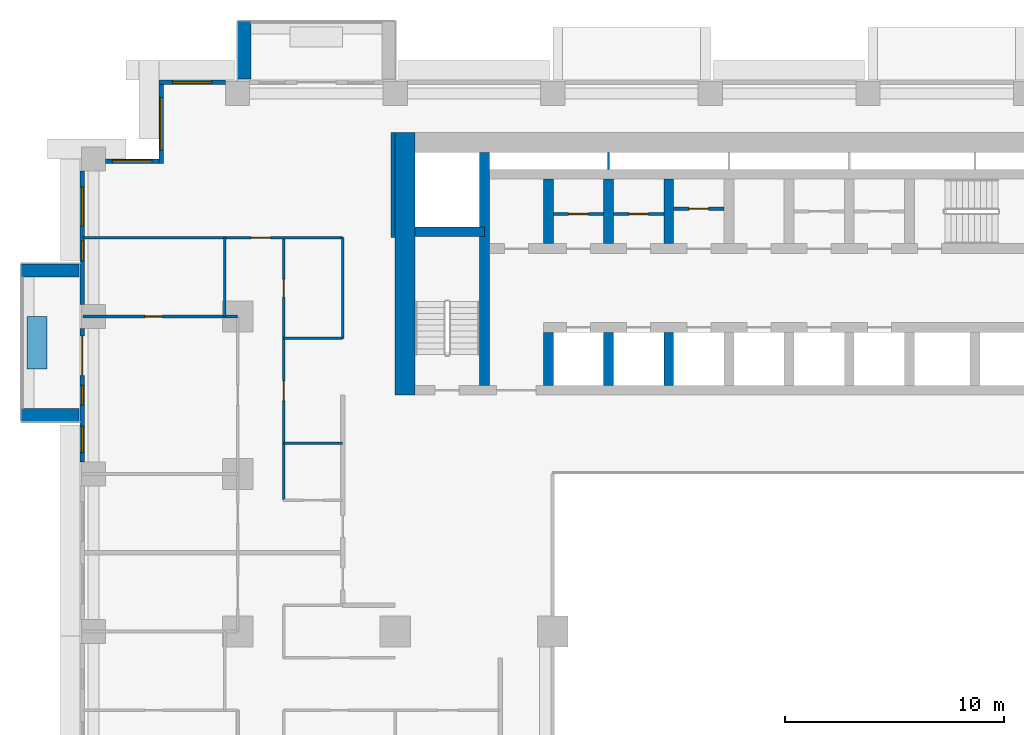
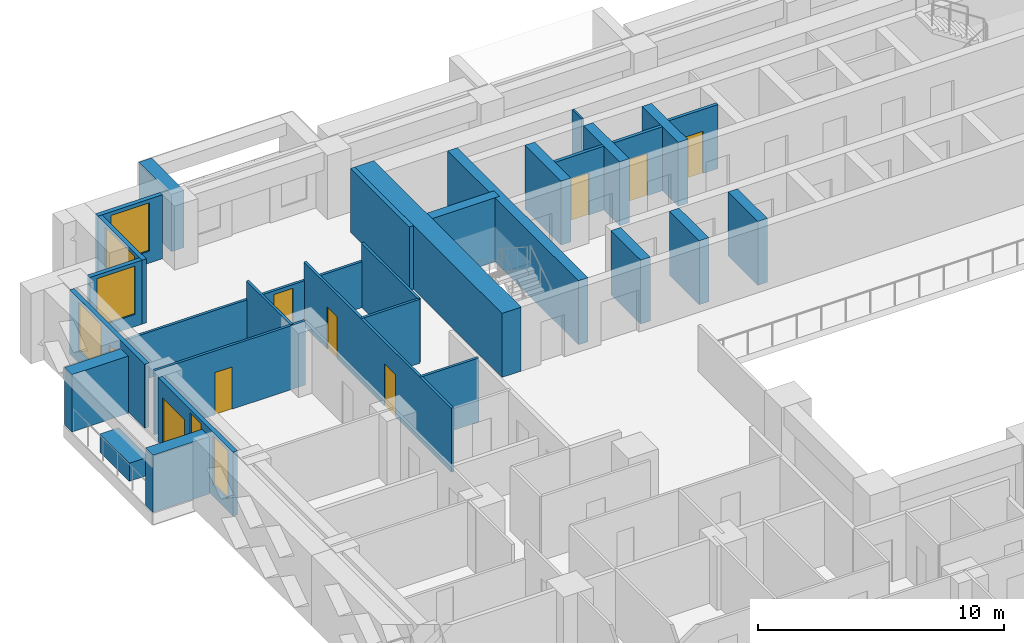
# One storey, part 9 of 17: 30 walls, 8 doors, 7 windows, 15 openings.
"""IFC4 building model written with IfcOpenShell, lengths in metres."""

from ifc_helpers import new_model, si_unit, direction, frame, frame_2d, origin, place, context, subcontext, project, spatial, rectangle, extrude, material, layer, layer_set, type_object, element, fill, save


model = new_model("IFC4")

# Units and contexts
model_context = context("Model", 3, precision=1e-05, world=origin(), true_north=direction((0.0, 1.0)))
body_context = subcontext(model_context, "Body", "Model", "MODEL_VIEW")
ifc_project = project(units=[si_unit("LENGTHUNIT", "METRE"), si_unit("AREAUNIT", "SQUARE_METRE"), si_unit("VOLUMEUNIT", "CUBIC_METRE"), si_unit("PLANEANGLEUNIT", "RADIAN"), si_unit("MASSUNIT", "GRAM", prefix="KILO")], contexts=[model_context])

# Site, building, storey
site_placement = place(None, origin())
site = spatial("IfcSite", under=ifc_project, at=site_placement, CompositionType="ELEMENT")
building_placement = place(site_placement, origin())
building = spatial("IfcBuilding", under=site, at=building_placement, Name="Saffron Iwan Residences", CompositionType="ELEMENT")
storey_placement = place(building_placement, frame((0.0, 0.0, 55.0)))
storey = spatial("IfcBuildingStorey", under=building, at=storey_placement, Name="L13", CompositionType="ELEMENT", Elevation=55.0)

# Walls
ifc_material_1 = material(Name="Concrete C50/60 white painted", Category="concrete")
ifc_layer_1 = layer(ifc_material_1, 0.60009765625)
ifc_layer_set_1 = layer_set([ifc_layer_1], Name="Concrete C50/60 white painted")
wall_type_1 = type_object("IfcWallType", Name="BALCONY FIN 600", PredefinedType="SOLIDWALL", material=ifc_layer_set_1)
for number, where, z_axis, x_axis, name in (
    (1, (21.89990234375, 80.449951171875, 0.0), (0.0, 0.0, 1.0), (0.0, 1.0, 0.0), "Balcony fin L13 F5-3b"),
    (2, (14.35009765625, 71.699951171875, 0.0), (0.0, 0.0, 1.0), (-1.0, 0.0, 0.0), "Balcony fin L13 F8-0a"),
    (3, (14.35009765625, 65.10009765625, 0.0), (0.0, 0.0, 1.0), (-1.0, 0.0, 0.0), "Balcony fin L13 F8-0b"),
):
    element("IfcWall", number, at=place(storey_placement, frame(where, z_axis=z_axis, x_axis=x_axis)), inside=storey, type_object=wall_type_1, Name=name, PredefinedType="SOLIDWALL", context=body_context, shape_type="SweptSolid", body=[
        extrude(rectangle(XDim=2.650146484375, YDim=0.60009765625, at=frame_2d((1.3251953125, 0.0))), origin(), (0.0, 0.0, 1.0), 2.85009765625),
    ])
ifc_material_2 = material(Name="Concrete C35/45 white painted", Category="concrete")
ifc_layer_2 = layer(ifc_material_2, 0.14990234375)
ifc_layer_set_2 = layer_set([ifc_layer_2], Name="Concrete C35/45 white painted")
wall_type_2 = type_object("IfcWallType", Name="BALCONY PLANTER", PredefinedType="SOLIDWALL", material=ifc_layer_set_2)
wall_1_placement = place(storey_placement, frame((12.425048828125, 69.60009765625, 0.0), z_axis=(0.0, 0.0, 1.0), x_axis=(0.0, -1.0, 0.0)))
element("IfcWall", 4, at=wall_1_placement, inside=storey, type_object=wall_type_2, Name="PLANTER L13 F8-0", PredefinedType="SOLIDWALL", context=body_context, shape_type="SweptSolid", body=[
    extrude(rectangle(XDim=2.400146484375, YDim=0.89990234375, at=frame_2d((1.2001953125, 0.0))), origin(), (0.0, 0.0, 1.0), 0.89990234375),
])

# Wall, opening, door
ifc_material_3 = material(Name="Fire-rated plasterboard partition")
ifc_layer_3 = layer(ifc_material_3, 0.14990234375)
ifc_layer_set_3 = layer_set([ifc_layer_3], Name="Fire-rated plasterboard partition")
wall_type_3 = type_object("IfcWallType", Name="Core partition 150", PredefinedType="PARTITIONING", material=ifc_layer_set_3)
wall_2_placement = place(storey_placement, frame((36.02490234375, 74.281982421875, 0.0), z_axis=(0.0, 0.0, 1.0), x_axis=(1.0, 0.0, 0.0)))
wall_2 = element("IfcWall", 5, at=wall_2_placement, inside=storey, type_object=wall_type_3, Name="Core partition P01", PredefinedType="PARTITIONING", context=body_context, shape_type="SweptSolid", body=[
    extrude(rectangle(XDim=2.300048828125, YDim=0.14990234375, at=frame_2d((1.14990234375, 0.0))), origin(), (0.0, 0.0, 1.0), 3.179931640625),
])
opening_1_placement = place(wall_2_placement, frame((0.699951171875, 0.0, 0.0)))
opening_1 = element("IfcOpeningElement", 6, at=opening_1_placement, cuts=wall_2, Name="Opening SB", PredefinedType="OPENING", context=body_context, shape_type="SweptSolid", body=[
    extrude(rectangle(XDim=0.89990234375, YDim=2.10009765625, at=frame_2d((0.449951171875, 1.050048828125))), frame((0.0, 0.0849609375, 0.0), z_axis=(0.0, -1.0, 0.0), x_axis=(1.0, 0.0, 0.0)), (0.0, 0.0, 1.0), 0.169921875),
])
ifc_material_4 = material(Name="Steel fire door", Category="steel")
door_type_1 = type_object("IfcDoorType", Name="Store door 900", OperationType="NOTDEFINED", PredefinedType="DOOR", material=ifc_material_4)
door_1_placement = place(opening_1_placement, origin())
door_1 = element("IfcDoor", 7, at=door_1_placement, inside=storey, type_object=door_type_1, Name="Door Tool store", OperationType="SINGLE_SWING_LEFT", OverallHeight=2.10009765625, OverallWidth=0.89990234375, PredefinedType="DOOR", context=body_context, shape_type="SweptSolid", body=[
    extrude(rectangle(XDim=0.89990234375, YDim=2.10009765625, at=frame_2d((0.449951171875, 1.050048828125))), frame((0.0, 0.02490234375, 0.0), z_axis=(0.0, -1.0, 0.0), x_axis=(1.0, 0.0, 0.0)), (0.0, 0.0, 1.0), 0.050048828125),
])
fill(opening_1, door_1)

wall_3_placement = place(storey_placement, frame((38.77490234375, 74.281982421875, 0.0), z_axis=(0.0, 0.0, 1.0), x_axis=(1.0, 0.0, 0.0)))
wall_3 = element("IfcWall", 8, at=wall_3_placement, inside=storey, type_object=wall_type_3, Name="Core partition P02", PredefinedType="PARTITIONING", context=body_context, shape_type="SweptSolid", body=[
    extrude(rectangle(XDim=2.300048828125, YDim=0.14990234375, at=frame_2d((1.14990234375, 0.0))), origin(), (0.0, 0.0, 1.0), 3.179931640625),
])
opening_2_placement = place(wall_3_placement, frame((0.699951171875, 0.0, 0.0)))
opening_2 = element("IfcOpeningElement", 9, at=opening_2_placement, cuts=wall_3, Name="Opening SB", PredefinedType="OPENING", context=body_context, shape_type="SweptSolid", body=[
    extrude(rectangle(XDim=0.89990234375, YDim=2.10009765625, at=frame_2d((0.449951171875, 1.050048828125))), frame((0.0, 0.0849609375, 0.0), z_axis=(0.0, -1.0, 0.0), x_axis=(1.0, 0.0, 0.0)), (0.0, 0.0, 1.0), 0.169921875),
])
door_2_placement = place(opening_2_placement, origin())
door_2 = element("IfcDoor", 10, at=door_2_placement, inside=storey, type_object=door_type_1, Name="Door Cabling room", OperationType="SINGLE_SWING_RIGHT", OverallHeight=2.10009765625, OverallWidth=0.89990234375, PredefinedType="DOOR", context=body_context, shape_type="SweptSolid", body=[
    extrude(rectangle(XDim=0.89990234375, YDim=2.10009765625, at=frame_2d((0.449951171875, 1.050048828125))), frame((0.0, 0.02490234375, 0.0), z_axis=(0.0, -1.0, 0.0), x_axis=(1.0, 0.0, 0.0)), (0.0, 0.0, 1.0), 0.050048828125),
])
fill(opening_2, door_2)

wall_4_placement = place(storey_placement, frame((41.52490234375, 74.51806640625, 0.0), z_axis=(0.0, 0.0, 1.0), x_axis=(1.0, 0.0, 0.0)))
wall_4 = element("IfcWall", 11, at=wall_4_placement, inside=storey, type_object=wall_type_3, Name="Core partition P03", PredefinedType="PARTITIONING", context=body_context, shape_type="SweptSolid", body=[
    extrude(rectangle(XDim=2.300048828125, YDim=0.14990234375, at=frame_2d((1.14990234375, 0.0))), origin(), (0.0, 0.0, 1.0), 3.179931640625),
])
opening_3_placement = place(wall_4_placement, frame((0.699951171875, 0.0, 0.0)))
opening_3 = element("IfcOpeningElement", 12, at=opening_3_placement, cuts=wall_4, Name="Opening SB", PredefinedType="OPENING", context=body_context, shape_type="SweptSolid", body=[
    extrude(rectangle(XDim=0.89990234375, YDim=2.10009765625, at=frame_2d((0.449951171875, 1.050048828125))), frame((0.0, 0.0849609375, 0.0), z_axis=(0.0, -1.0, 0.0), x_axis=(1.0, 0.0, 0.0)), (0.0, 0.0, 1.0), 0.169921875),
])
door_3_placement = place(opening_3_placement, origin())
door_3 = element("IfcDoor", 13, at=door_3_placement, inside=storey, type_object=door_type_1, Name="Door Equipment store", OperationType="SINGLE_SWING_RIGHT", OverallHeight=2.10009765625, OverallWidth=0.89990234375, PredefinedType="DOOR", context=body_context, shape_type="SweptSolid", body=[
    extrude(rectangle(XDim=0.89990234375, YDim=2.10009765625, at=frame_2d((0.449951171875, 1.050048828125))), frame((0.0, 0.02490234375, 0.0), z_axis=(0.0, -1.0, 0.0), x_axis=(1.0, 0.0, 0.0)), (0.0, 0.0, 1.0), 0.050048828125),
])
fill(opening_3, door_3)

# Wall, opening, window
ifc_material_5 = material(Name="Concrete C40/50", Category="concrete")
ifc_layer_4 = layer(ifc_material_5, 0.199951171875)
ifc_layer_set_4 = layer_set([ifc_layer_4], Name="Concrete C40/50")
wall_type_4 = type_object("IfcWallType", Name="EXTERNAL WALL 200", PredefinedType="SOLIDWALL", material=ifc_layer_set_4)
wall_5_placement = place(storey_placement, frame((21.050048828125, 80.300048828125, 0.0), z_axis=(0.0, 0.0, 1.0), x_axis=(-1.0, 0.0, 0.0)))
wall_5 = element("IfcWall", 14, at=wall_5_placement, inside=storey, type_object=wall_type_4, Name="External wall L13 F5.9", PredefinedType="SOLIDWALL", context=body_context, shape_type="SweptSolid", body=[
    extrude(rectangle(XDim=3.050048828125, YDim=0.199951171875, at=frame_2d((1.52490234375, 0.0))), origin(), (0.0, 0.0, 1.0), 3.179931640625),
])
opening_4_placement = place(wall_5_placement, frame((0.625, 0.0, 0.60009765625)))
opening_4 = element("IfcOpeningElement", 15, at=opening_4_placement, cuts=wall_5, Name="Opening W8", PredefinedType="OPENING", context=body_context, shape_type="SweptSolid", body=[
    extrude(rectangle(XDim=1.800048828125, YDim=2.39990234375, at=frame_2d((0.89990234375, 1.199951171875))), frame((0.0, 0.10986328125, 0.0), z_axis=(0.0, -1.0, 0.0), x_axis=(1.0, 0.0, 0.0)), (0.0, 0.0, 1.0), 0.219970703125),
])
ifc_material_6 = material(Name="Clear glass, laminated double glazed", Category="glass")
window_type_1 = type_object("IfcWindowType", Name="WINDOW 1800 x 2400", PartitioningType="DOUBLE_PANEL_VERTICAL", PredefinedType="WINDOW", material=ifc_material_6)
window_1_placement = place(opening_4_placement, origin())
window_1 = element("IfcWindow", 16, at=window_1_placement, inside=storey, type_object=window_type_1, Name="Window L13 F5.0", OverallHeight=2.39990234375, OverallWidth=1.800048828125, PartitioningType="DOUBLE_PANEL_VERTICAL", PredefinedType="WINDOW", context=body_context, shape_type="SweptSolid", body=[
    extrude(rectangle(XDim=1.800048828125, YDim=2.39990234375, at=frame_2d((0.89990234375, 1.199951171875))), frame((0.0, 0.030029296875, 0.0), z_axis=(0.0, -1.0, 0.0), x_axis=(1.0, 0.0, 0.0)), (0.0, 0.0, 1.0), 0.06005859375),
])
fill(opening_4, window_1)

wall_6_placement = place(storey_placement, frame((18.10009765625, 80.199951171875, 0.0), z_axis=(0.0, 0.0, 1.0), x_axis=(0.0, -1.0, 0.0)))
wall_6 = element("IfcWall", 17, at=wall_6_placement, inside=storey, type_object=wall_type_4, Name="External wall L13 F6.0", PredefinedType="SOLIDWALL", context=body_context, shape_type="SweptSolid", body=[
    extrude(rectangle(XDim=3.599853515625, YDim=0.199951171875, at=frame_2d((1.7998046875, 0.0))), origin(), (0.0, 0.0, 1.0), 3.179931640625),
])
opening_5_placement = place(wall_6_placement, frame((0.60009765625, 0.0, 0.60009765625)))
opening_5 = element("IfcOpeningElement", 18, at=opening_5_placement, cuts=wall_6, Name="Opening W1", PredefinedType="OPENING", context=body_context, shape_type="SweptSolid", body=[
    extrude(rectangle(XDim=2.39990234375, YDim=2.39990234375, at=frame_2d((1.199951171875, 1.199951171875))), frame((0.0, 0.10986328125, 0.0), z_axis=(0.0, -1.0, 0.0), x_axis=(1.0, 0.0, 0.0)), (0.0, 0.0, 1.0), 0.219970703125),
])
window_type_2 = type_object("IfcWindowType", Name="WINDOW 2400 x 2400", PartitioningType="DOUBLE_PANEL_VERTICAL", PredefinedType="WINDOW", material=ifc_material_6)
window_2_placement = place(opening_5_placement, origin())
window_2 = element("IfcWindow", 19, at=window_2_placement, inside=storey, type_object=window_type_2, Name="Window L13 F6.0", OverallHeight=2.39990234375, OverallWidth=2.39990234375, PartitioningType="DOUBLE_PANEL_VERTICAL", PredefinedType="WINDOW", context=body_context, shape_type="SweptSolid", body=[
    extrude(rectangle(XDim=2.39990234375, YDim=2.39990234375, at=frame_2d((1.199951171875, 1.199951171875))), frame((0.0, 0.030029296875, 0.0), z_axis=(0.0, -1.0, 0.0), x_axis=(1.0, 0.0, 0.0)), (0.0, 0.0, 1.0), 0.06005859375),
])
fill(opening_5, window_2)

wall_7_placement = place(storey_placement, frame((18.0, 76.699951171875, 0.0), z_axis=(0.0, 0.0, 1.0), x_axis=(-1.0, 0.0, 0.0)))
wall_7 = element("IfcWall", 20, at=wall_7_placement, inside=storey, type_object=wall_type_4, Name="External wall L13 F7.0", PredefinedType="SOLIDWALL", context=body_context, shape_type="SweptSolid", body=[
    extrude(rectangle(XDim=2.449951171875, YDim=0.199951171875, at=frame_2d((1.22509765625, 0.0))), origin(), (0.0, 0.0, 1.0), 3.179931640625),
])
opening_6_placement = place(wall_7_placement, frame((0.324951171875, 0.0, 0.60009765625)))
opening_6 = element("IfcOpeningElement", 21, at=opening_6_placement, cuts=wall_7, Name="Opening W8", PredefinedType="OPENING", context=body_context, shape_type="SweptSolid", body=[
    extrude(rectangle(XDim=1.800048828125, YDim=2.39990234375, at=frame_2d((0.89990234375, 1.199951171875))), frame((0.0, 0.10986328125, 0.0), z_axis=(0.0, -1.0, 0.0), x_axis=(1.0, 0.0, 0.0)), (0.0, 0.0, 1.0), 0.219970703125),
])
window_3_placement = place(opening_6_placement, origin())
window_3 = element("IfcWindow", 22, at=window_3_placement, inside=storey, type_object=window_type_1, Name="Window L13 F7.0", OverallHeight=2.39990234375, OverallWidth=1.800048828125, PartitioningType="DOUBLE_PANEL_VERTICAL", PredefinedType="WINDOW", context=body_context, shape_type="SweptSolid", body=[
    extrude(rectangle(XDim=1.800048828125, YDim=2.39990234375, at=frame_2d((0.89990234375, 1.199951171875))), frame((0.0, 0.030029296875, 0.0), z_axis=(0.0, -1.0, 0.0), x_axis=(1.0, 0.0, 0.0)), (0.0, 0.0, 1.0), 0.06005859375),
])
fill(opening_6, window_3)

# Wall, openings, windows
wall_8_placement = place(storey_placement, frame((14.5, 76.25, 0.0), z_axis=(0.0, 0.0, 1.0), x_axis=(0.0, -1.0, 0.0)))
wall_8 = element("IfcWall", 23, at=wall_8_placement, inside=storey, type_object=wall_type_4, Name="External wall L13 F8.0", PredefinedType="SOLIDWALL", context=body_context, shape_type="SweptSolid", body=[
    extrude(rectangle(XDim=6.10009765625, YDim=0.199951171875, at=frame_2d((3.050048828125, 0.0))), origin(), (0.0, 0.0, 1.0), 3.179931640625),
])
opening_7_placement = place(wall_8_placement, frame((3.199951171875, 0.0, 1.5)))
opening_7 = element("IfcOpeningElement", 24, at=opening_7_placement, cuts=wall_8, Name="Opening W6", PredefinedType="OPENING", context=body_context, shape_type="SweptSolid", body=[
    extrude(rectangle(XDim=0.89990234375, YDim=0.89990234375, at=frame_2d((0.449951171875, 0.449951171875))), frame((0.0, 0.10986328125, 0.0), z_axis=(0.0, -1.0, 0.0), x_axis=(1.0, 0.0, 0.0)), (0.0, 0.0, 1.0), 0.219970703125),
])
opening_8_placement = place(wall_8_placement, frame((0.72509765625, 0.0, 0.60009765625)))
opening_8 = element("IfcOpeningElement", 25, at=opening_8_placement, cuts=wall_8, Name="Opening W8", PredefinedType="OPENING", context=body_context, shape_type="SweptSolid", body=[
    extrude(rectangle(XDim=1.800048828125, YDim=2.39990234375, at=frame_2d((0.89990234375, 1.199951171875))), frame((0.0, 0.10986328125, 0.0), z_axis=(0.0, -1.0, 0.0), x_axis=(1.0, 0.0, 0.0)), (0.0, 0.0, 1.0), 0.219970703125),
])
window_4_placement = place(opening_8_placement, origin())
window_4 = element("IfcWindow", 26, at=window_4_placement, inside=storey, type_object=window_type_1, Name="Window L13 F8.1", OverallHeight=2.39990234375, OverallWidth=1.800048828125, PartitioningType="DOUBLE_PANEL_VERTICAL", PredefinedType="WINDOW", context=body_context, shape_type="SweptSolid", body=[
    extrude(rectangle(XDim=1.800048828125, YDim=2.39990234375, at=frame_2d((0.89990234375, 1.199951171875))), frame((0.0, 0.030029296875, 0.0), z_axis=(0.0, -1.0, 0.0), x_axis=(1.0, 0.0, 0.0)), (0.0, 0.0, 1.0), 0.06005859375),
])
fill(opening_8, window_4)
window_type_3 = type_object("IfcWindowType", Name="WINDOW 900 x 900 BATH", PartitioningType="SINGLE_PANEL", PredefinedType="WINDOW", material=ifc_material_6)
window_5_placement = place(opening_7_placement, origin())
window_5 = element("IfcWindow", 27, at=window_5_placement, inside=storey, type_object=window_type_3, Name="Window L13 F8.0", OverallHeight=0.89990234375, OverallWidth=0.89990234375, PartitioningType="SINGLE_PANEL", PredefinedType="WINDOW", context=body_context, shape_type="SweptSolid", body=[
    extrude(rectangle(XDim=0.89990234375, YDim=0.89990234375, at=frame_2d((0.449951171875, 0.449951171875))), frame((0.0, 0.030029296875, 0.0), z_axis=(0.0, -1.0, 0.0), x_axis=(1.0, 0.0, 0.0)), (0.0, 0.0, 1.0), 0.06005859375),
])
fill(opening_7, window_5)

# Wall, openings, door, windows
wall_9_placement = place(storey_placement, frame((14.5, 69.050048828125, 0.0), z_axis=(0.0, 0.0, 1.0), x_axis=(0.0, -1.0, 0.0)))
wall_9 = element("IfcWall", 28, at=wall_9_placement, inside=storey, type_object=wall_type_4, Name="External wall L13 F8.1", PredefinedType="SOLIDWALL", context=body_context, shape_type="SweptSolid", body=[
    extrude(rectangle(XDim=6.10009765625, YDim=0.199951171875, at=frame_2d((3.050048828125, 0.0))), origin(), (0.0, 0.0, 1.0), 3.179931640625),
])
opening_9_placement = place(wall_9_placement, frame((0.35009765625, 0.0, 0.0)))
opening_9 = element("IfcOpeningElement", 29, at=opening_9_placement, cuts=wall_9, Name="Opening BD1", PredefinedType="OPENING", context=body_context, shape_type="SweptSolid", body=[
    extrude(rectangle(XDim=1.800048828125, YDim=2.39990234375, at=frame_2d((0.89990234375, 1.199951171875))), frame((0.0, 0.10986328125, 0.0), z_axis=(0.0, -1.0, 0.0), x_axis=(1.0, 0.0, 0.0)), (0.0, 0.0, 1.0), 0.219970703125),
])
opening_10_placement = place(wall_9_placement, frame((2.60009765625, 0.0, 0.60009765625)))
opening_10 = element("IfcOpeningElement", 30, at=opening_10_placement, cuts=wall_9, Name="Opening W10", PredefinedType="OPENING", context=body_context, shape_type="SweptSolid", body=[
    extrude(rectangle(XDim=0.89990234375, YDim=2.39990234375, at=frame_2d((0.449951171875, 1.199951171875))), frame((0.0, 0.10986328125, 0.0), z_axis=(0.0, -1.0, 0.0), x_axis=(1.0, 0.0, 0.0)), (0.0, 0.0, 1.0), 0.219970703125),
])
opening_11_placement = place(wall_9_placement, frame((4.47509765625, 0.0, 0.60009765625)))
opening_11 = element("IfcOpeningElement", 31, at=opening_11_placement, cuts=wall_9, Name="Opening W3", PredefinedType="OPENING", context=body_context, shape_type="SweptSolid", body=[
    extrude(rectangle(XDim=1.199951171875, YDim=2.39990234375, at=frame_2d((0.60009765625, 1.199951171875))), frame((0.0, 0.10986328125, 0.0), z_axis=(0.0, -1.0, 0.0), x_axis=(1.0, 0.0, 0.0)), (0.0, 0.0, 1.0), 0.219970703125),
])
door_type_2 = type_object("IfcDoorType", Name="BALCONY DOOR 1800 x 2400", OperationType="DOUBLE_DOOR_SLIDING", PredefinedType="DOOR", material=ifc_material_6)
door_4_placement = place(opening_9_placement, origin())
door_4 = element("IfcDoor", 32, at=door_4_placement, inside=storey, type_object=door_type_2, Name="Balcony door L13 F8.0", OperationType="DOUBLE_DOOR_SLIDING", OverallHeight=2.39990234375, OverallWidth=1.800048828125, PredefinedType="DOOR", context=body_context, shape_type="SweptSolid", body=[
    extrude(rectangle(XDim=1.800048828125, YDim=2.39990234375, at=frame_2d((0.89990234375, 1.199951171875))), frame((0.0, 0.02490234375, 0.0), z_axis=(0.0, -1.0, 0.0), x_axis=(1.0, 0.0, 0.0)), (0.0, 0.0, 1.0), 0.050048828125),
])
fill(opening_9, door_4)
window_type_4 = type_object("IfcWindowType", Name="WINDOW 1200 x 2400", PartitioningType="SINGLE_PANEL", PredefinedType="WINDOW", material=ifc_material_6)
window_6_placement = place(opening_11_placement, origin())
window_6 = element("IfcWindow", 33, at=window_6_placement, inside=storey, type_object=window_type_4, Name="Window L13 F8.2", OverallHeight=2.39990234375, OverallWidth=1.199951171875, PartitioningType="SINGLE_PANEL", PredefinedType="WINDOW", context=body_context, shape_type="SweptSolid", body=[
    extrude(rectangle(XDim=1.199951171875, YDim=2.39990234375, at=frame_2d((0.60009765625, 1.199951171875))), frame((0.0, 0.030029296875, 0.0), z_axis=(0.0, -1.0, 0.0), x_axis=(1.0, 0.0, 0.0)), (0.0, 0.0, 1.0), 0.06005859375),
])
fill(opening_11, window_6)
window_type_5 = type_object("IfcWindowType", Name="WINDOW 900 x 2400", PartitioningType="SINGLE_PANEL", PredefinedType="WINDOW", material=ifc_material_6)
window_7_placement = place(opening_10_placement, origin())
window_7 = element("IfcWindow", 34, at=window_7_placement, inside=storey, type_object=window_type_5, Name="Window L13 F8.1", OverallHeight=2.39990234375, OverallWidth=0.89990234375, PartitioningType="SINGLE_PANEL", PredefinedType="WINDOW", context=body_context, shape_type="SweptSolid", body=[
    extrude(rectangle(XDim=0.89990234375, YDim=2.39990234375, at=frame_2d((0.449951171875, 1.199951171875))), frame((0.0, 0.030029296875, 0.0), z_axis=(0.0, -1.0, 0.0), x_axis=(1.0, 0.0, 0.0)), (0.0, 0.0, 1.0), 0.06005859375),
])
fill(opening_10, window_7)

# Walls
ifc_material_7 = material(Name="Gypsum board partition")
ifc_layer_5 = layer(ifc_material_7, 0.1201171875)
ifc_layer_set_5 = layer_set([ifc_layer_5], Name="Gypsum board partition")
wall_type_5 = type_object("IfcWallType", Name="Flat partition 120", PredefinedType="PARTITIONING", material=ifc_layer_set_5)
for number, where, z_axis, x_axis, name in (
    (35, (23.699951171875, 63.800048828125, 0.0), (0.0, 0.0, 1.0), (1.0, 0.0, 0.0), "W-L13-PART-h63.8-23.7"),
    (36, (23.699951171875, 68.60009765625, 0.0), (0.0, 0.0, 1.0), (1.0, 0.0, 0.0), "W-L13-PART-h68.6-23.7"),
):
    element("IfcWall", number, at=place(storey_placement, frame(where, z_axis=z_axis, x_axis=x_axis)), inside=storey, type_object=wall_type_5, Name=name, PredefinedType="PARTITIONING", context=body_context, shape_type="SweptSolid", body=[
        extrude(rectangle(XDim=2.699951171875, YDim=0.1201171875, at=frame_2d((1.35009765625, 0.0))), origin(), (0.0, 0.0, 1.0), 3.179931640625),
    ])

# Wall, opening, door
wall_10_placement = place(storey_placement, frame((14.52490234375, 69.60009765625, 0.0), z_axis=(0.0, 0.0, 1.0), x_axis=(1.0, 0.0, 0.0)))
wall_10 = element("IfcWall", 37, at=wall_10_placement, inside=storey, type_object=wall_type_5, Name="W-L13-PART-h69.6-14.525", PredefinedType="PARTITIONING", context=body_context, shape_type="SweptSolid", body=[
    extrude(rectangle(XDim=7.0751953125, YDim=0.1201171875, at=frame_2d((3.53759765625, 0.0))), origin(), (0.0, 0.0, 1.0), 3.179931640625),
])
opening_12_placement = place(wall_10_placement, frame((2.83740234375, 0.0, 0.0)))
opening_12 = element("IfcOpeningElement", 38, at=opening_12_placement, cuts=wall_10, Name="Opening FD3", PredefinedType="OPENING", context=body_context, shape_type="SweptSolid", body=[
    extrude(rectangle(XDim=0.800048828125, YDim=2.10009765625, at=frame_2d((0.39990234375, 1.050048828125))), frame((0.0, 0.070068359375, 0.0), z_axis=(0.0, -1.0, 0.0), x_axis=(1.0, 0.0, 0.0)), (0.0, 0.0, 1.0), 0.14013671875),
])
ifc_material_8 = material(Name="Timber door", Category="wood")
door_type_3 = type_object("IfcDoorType", Name="Bathroom door 800", OperationType="NOTDEFINED", PredefinedType="DOOR", material=ifc_material_8)
door_5_placement = place(opening_12_placement, origin())
door_5 = element("IfcDoor", 39, at=door_5_placement, inside=storey, type_object=door_type_3, Name="Door L13-031", OperationType="SINGLE_SWING_LEFT", OverallHeight=2.10009765625, OverallWidth=0.800048828125, PredefinedType="DOOR", context=body_context, shape_type="SweptSolid", body=[
    extrude(rectangle(XDim=0.800048828125, YDim=2.10009765625, at=frame_2d((0.39990234375, 1.050048828125))), frame((0.0, 0.02490234375, 0.0), z_axis=(0.0, -1.0, 0.0), x_axis=(1.0, 0.0, 0.0)), (0.0, 0.0, 1.0), 0.050048828125),
])
fill(opening_12, door_5)

wall_11_placement = place(storey_placement, frame((14.52490234375, 73.199951171875, 0.0), z_axis=(0.0, 0.0, 1.0), x_axis=(1.0, 0.0, 0.0)))
wall_11 = element("IfcWall", 40, at=wall_11_placement, inside=storey, type_object=wall_type_5, Name="W-L13-PART-h73.2-14.525", PredefinedType="PARTITIONING", context=body_context, shape_type="SweptSolid", body=[
    extrude(rectangle(XDim=11.875, YDim=0.1201171875, at=frame_2d((5.9375, 0.0))), origin(), (0.0, 0.0, 1.0), 2.280029296875),
])
opening_13_placement = place(wall_11_placement, frame((7.675048828125, 0.0, 0.0)))
opening_13 = element("IfcOpeningElement", 41, at=opening_13_placement, cuts=wall_11, Name="Opening FD2", PredefinedType="OPENING", context=body_context, shape_type="SweptSolid", body=[
    extrude(rectangle(XDim=0.89990234375, YDim=2.10009765625, at=frame_2d((0.449951171875, 1.050048828125))), frame((0.0, 0.070068359375, 0.0), z_axis=(0.0, -1.0, 0.0), x_axis=(1.0, 0.0, 0.0)), (0.0, 0.0, 1.0), 0.14013671875),
])
door_type_4 = type_object("IfcDoorType", Name="Flat door 900", OperationType="NOTDEFINED", PredefinedType="DOOR", material=ifc_material_8)
door_6_placement = place(opening_13_placement, origin())
door_6 = element("IfcDoor", 42, at=door_6_placement, inside=storey, type_object=door_type_4, Name="Door L13-032", OperationType="SINGLE_SWING_LEFT", OverallHeight=2.10009765625, OverallWidth=0.89990234375, PredefinedType="DOOR", context=body_context, shape_type="SweptSolid", body=[
    extrude(rectangle(XDim=0.89990234375, YDim=2.10009765625, at=frame_2d((0.449951171875, 1.050048828125))), frame((0.0, 0.02490234375, 0.0), z_axis=(0.0, -1.0, 0.0), x_axis=(1.0, 0.0, 0.0)), (0.0, 0.0, 1.0), 0.050048828125),
])
fill(opening_13, door_6)

# Wall
wall_12_placement = place(storey_placement, frame((21.0, 69.60009765625, 0.0), z_axis=(0.0, 0.0, 1.0), x_axis=(0.0, 1.0, 0.0)))
element("IfcWall", 43, at=wall_12_placement, inside=storey, type_object=wall_type_5, Name="W-L13-PART-v21-69.6", PredefinedType="PARTITIONING", context=body_context, shape_type="SweptSolid", body=[
    extrude(rectangle(XDim=3.599853515625, YDim=0.1201171875, at=frame_2d((1.7998046875, 0.0))), origin(), (0.0, 0.0, 1.0), 3.179931640625),
])

# Wall, openings, doors
wall_13_placement = place(storey_placement, frame((23.699951171875, 61.199951171875, 0.0), z_axis=(0.0, 0.0, 1.0), x_axis=(0.0, 1.0, 0.0)))
wall_13 = element("IfcWall", 44, at=wall_13_placement, inside=storey, type_object=wall_type_5, Name="W-L13-PART-v23.7-61.2", PredefinedType="PARTITIONING", context=body_context, shape_type="SweptSolid", body=[
    extrude(rectangle(XDim=12.0, YDim=0.1201171875, at=frame_2d((6.0, 0.0))), origin(), (0.0, 0.0, 1.0), 3.179931640625),
])
opening_14_placement = place(wall_13_placement, frame((4.550048828125, 0.0, 0.0)))
opening_14 = element("IfcOpeningElement", 45, at=opening_14_placement, cuts=wall_13, Name="Opening FD2", PredefinedType="OPENING", context=body_context, shape_type="SweptSolid", body=[
    extrude(rectangle(XDim=0.89990234375, YDim=2.10009765625, at=frame_2d((0.449951171875, 1.050048828125))), frame((0.0, 0.070068359375, 0.0), z_axis=(0.0, -1.0, 0.0), x_axis=(1.0, 0.0, 0.0)), (0.0, 0.0, 1.0), 0.14013671875),
])
opening_15_placement = place(wall_13_placement, frame((9.300048828125, 0.0, 0.0)))
opening_15 = element("IfcOpeningElement", 46, at=opening_15_placement, cuts=wall_13, Name="Opening FD3", PredefinedType="OPENING", context=body_context, shape_type="SweptSolid", body=[
    extrude(rectangle(XDim=0.800048828125, YDim=2.10009765625, at=frame_2d((0.39990234375, 1.050048828125))), frame((0.0, 0.070068359375, 0.0), z_axis=(0.0, -1.0, 0.0), x_axis=(1.0, 0.0, 0.0)), (0.0, 0.0, 1.0), 0.14013671875),
])
door_7_placement = place(opening_15_placement, origin())
door_7 = element("IfcDoor", 47, at=door_7_placement, inside=storey, type_object=door_type_3, Name="Door L13-035", OperationType="SINGLE_SWING_LEFT", OverallHeight=2.10009765625, OverallWidth=0.800048828125, PredefinedType="DOOR", context=body_context, shape_type="SweptSolid", body=[
    extrude(rectangle(XDim=0.800048828125, YDim=2.10009765625, at=frame_2d((0.39990234375, 1.050048828125))), frame((0.0, 0.02490234375, 0.0), z_axis=(0.0, -1.0, 0.0), x_axis=(1.0, 0.0, 0.0)), (0.0, 0.0, 1.0), 0.050048828125),
])
fill(opening_15, door_7)
door_8_placement = place(opening_14_placement, origin())
door_8 = element("IfcDoor", 48, at=door_8_placement, inside=storey, type_object=door_type_4, Name="Door L13-034", OperationType="SINGLE_SWING_LEFT", OverallHeight=2.10009765625, OverallWidth=0.89990234375, PredefinedType="DOOR", context=body_context, shape_type="SweptSolid", body=[
    extrude(rectangle(XDim=0.89990234375, YDim=2.10009765625, at=frame_2d((0.449951171875, 1.050048828125))), frame((0.0, 0.02490234375, 0.0), z_axis=(0.0, -1.0, 0.0), x_axis=(1.0, 0.0, 0.0)), (0.0, 0.0, 1.0), 0.050048828125),
])
fill(opening_14, door_8)

# Walls
wall_14_placement = place(storey_placement, frame((26.39990234375, 68.60009765625, 0.0), z_axis=(0.0, 0.0, 1.0), x_axis=(0.0, 1.0, 0.0)))
element("IfcWall", 49, at=wall_14_placement, inside=storey, type_object=wall_type_5, Name="W-L13-PART-v26.4-68.6", PredefinedType="PARTITIONING", context=body_context, shape_type="SweptSolid", body=[
    extrude(rectangle(XDim=4.599853515625, YDim=0.1201171875, at=frame_2d((2.2998046875, 0.0))), origin(), (0.0, 0.0, 1.0), 3.179931640625),
])
ifc_material_9 = material(Name="Fire-rated gypsum board wall")
ifc_layer_6 = layer(ifc_material_9, 0.199951171875)
ifc_layer_set_6 = layer_set([ifc_layer_6], Name="Fire-rated gypsum board wall")
wall_type_6 = type_object("IfcWallType", Name="Gallery wall 200", PredefinedType="SOLIDWALL", material=ifc_layer_set_6)
wall_15_placement = place(storey_placement, frame((28.699951171875, 73.199951171875, 0.0), z_axis=(0.0, 0.0, 1.0), x_axis=(0.0, 1.0, 0.0)))
element("IfcWall", 50, at=wall_15_placement, inside=storey, type_object=wall_type_6, Name="W-L13-CORR-v28.8-73.2", PredefinedType="SOLIDWALL", context=body_context, shape_type="SweptSolid", body=[
    extrude(rectangle(XDim=4.800048828125, YDim=0.199951171875, at=frame_2d((2.39990234375, 0.0))), origin(), (0.0, 0.0, 1.0), 3.179931640625),
])
ifc_layer_7 = layer(ifc_material_3, 0.10009765625)
ifc_layer_set_7 = layer_set([ifc_layer_7], Name="Fire-rated plasterboard partition")
wall_type_7 = type_object("IfcWallType", Name="Riser partition 100", PredefinedType="PARTITIONING", material=ifc_layer_set_7)
wall_16_placement = place(storey_placement, frame((38.550048828125, 76.324951171875, 0.0), z_axis=(0.0, 0.0, 1.0), x_axis=(0.0, 1.0, 0.0)))
element("IfcWall", 51, at=wall_16_placement, inside=storey, type_object=wall_type_7, Name="Core partition P06", PredefinedType="PARTITIONING", context=body_context, shape_type="SweptSolid", body=[
    extrude(rectangle(XDim=0.775146484375, YDim=0.10009765625, at=frame_2d((0.3876953125, 0.0))), origin(), (0.0, 0.0, 1.0), 3.179931640625),
])
ifc_material_10 = material(Name="Concrete C60/75", Category="concrete")
ifc_layer_8 = layer(ifc_material_10, 0.449951171875)
ifc_layer_set_8 = layer_set([ifc_layer_8], Name="Concrete C60/75")
wall_type_8 = type_object("IfcWallType", Name="WALL CORE 450 C60/75 3180 HIGH", PredefinedType="SHEAR", material=ifc_layer_set_8)
wall_17_placement = place(storey_placement, frame((29.699951171875, 73.47509765625, 0.0), z_axis=(0.0, 0.0, 1.0), x_axis=(1.0, 0.0, 0.0)))
element("IfcWall", 52, at=wall_17_placement, inside=storey, type_object=wall_type_8, Name="Core wall", PredefinedType="SHEAR", context=body_context, shape_type="SweptSolid", body=[
    extrude(rectangle(XDim=3.175048828125, YDim=0.449951171875, at=frame_2d((1.58740234375, 0.0))), origin(), (0.0, 0.0, 1.0), 3.179931640625),
])
wall_18_placement = place(storey_placement, frame((32.875, 66.449951171875, 0.0), z_axis=(0.0, 0.0, 1.0), x_axis=(0.0, 1.0, 0.0)))
element("IfcWall", 53, at=wall_18_placement, inside=storey, type_object=wall_type_8, Name="Core wall", PredefinedType="SHEAR", context=body_context, shape_type="SweptSolid", body=[
    extrude(rectangle(XDim=10.650146484375, YDim=0.449951171875, at=frame_2d((5.3251953125, 0.0))), origin(), (0.0, 0.0, 1.0), 3.179931640625),
])
for number, where, z_axis, x_axis, name in (
    (54, (35.800048828125, 66.449951171875, 0.0), (0.0, 0.0, 1.0), (0.0, 1.0, 0.0), "Core wall"),
    (55, (38.550048828125, 66.449951171875, 0.0), (0.0, 0.0, 1.0), (0.0, 1.0, 0.0), "Core wall"),
    (56, (41.300048828125, 66.449951171875, 0.0), (0.0, 0.0, 1.0), (0.0, 1.0, 0.0), "Core wall"),
):
    element("IfcWall", number, at=place(storey_placement, frame(where, z_axis=z_axis, x_axis=x_axis)), inside=storey, type_object=wall_type_8, Name=name, PredefinedType="SHEAR", context=body_context, shape_type="SweptSolid", body=[
        extrude(rectangle(XDim=2.425048828125, YDim=0.449951171875, at=frame_2d((1.21240234375, 0.0))), origin(), (0.0, 0.0, 1.0), 3.179931640625),
    ])
for number, where, z_axis, x_axis, name in (
    (57, (35.800048828125, 72.925048828125, 0.0), (0.0, 0.0, 1.0), (0.0, 1.0, 0.0), "Core wall"),
    (58, (38.550048828125, 72.925048828125, 0.0), (0.0, 0.0, 1.0), (0.0, 1.0, 0.0), "Core wall"),
    (59, (41.300048828125, 72.925048828125, 0.0), (0.0, 0.0, 1.0), (0.0, 1.0, 0.0), "Core wall"),
):
    element("IfcWall", number, at=place(storey_placement, frame(where, z_axis=z_axis, x_axis=x_axis)), inside=storey, type_object=wall_type_8, Name=name, PredefinedType="SHEAR", context=body_context, shape_type="SweptSolid", body=[
        extrude(rectangle(XDim=2.949951171875, YDim=0.449951171875, at=frame_2d((1.47509765625, 0.0))), origin(), (0.0, 0.0, 1.0), 3.179931640625),
    ])
ifc_layer_9 = layer(ifc_material_10, 0.89990234375)
ifc_layer_set_9 = layer_set([ifc_layer_9], Name="Concrete C60/75")
wall_type_9 = type_object("IfcWallType", Name="WALL CORE 900 C60/75 3180 HIGH", PredefinedType="SHEAR", material=ifc_layer_set_9)
wall_19_placement = place(storey_placement, frame((29.25, 66.0, 0.0), z_axis=(0.0, 0.0, 1.0), x_axis=(0.0, 1.0, 0.0)))
element("IfcWall", 60, at=wall_19_placement, inside=storey, type_object=wall_type_9, Name="Core wall", PredefinedType="SHEAR", context=body_context, shape_type="SweptSolid", body=[
    extrude(rectangle(XDim=12.0, YDim=0.89990234375, at=frame_2d((6.0, 0.0))), origin(), (0.0, 0.0, 1.0), 3.179931640625),
])

save(model, "model.ifc")
